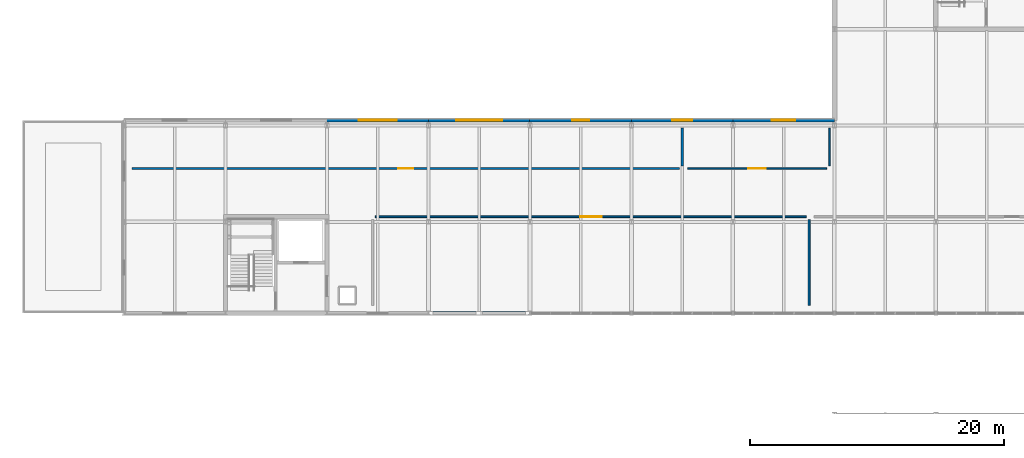
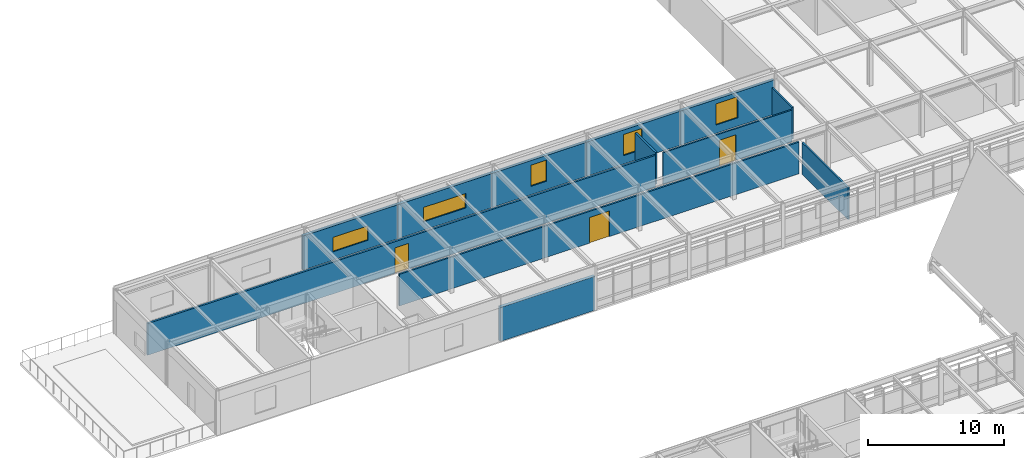
# One storey, part 71 of 85: 12 walls, 5 windows, 3 doors, 8 openings.
"""IFC4 building model written with IfcOpenShell, lengths in metres."""

from ifc_helpers import new_model, si_unit, direction, frame, frame_2d, origin, place, context, subcontext, project, spatial, rectangle, extrude, material, layer, layer_set, type_object, element, fill, save


model = new_model("IFC4")

# Units and contexts
model_context = context("Model", 3, precision=1e-05, world=origin(), true_north=direction((0.0, 1.0)))
body_context = subcontext(model_context, "Body", "Model", "MODEL_VIEW")
ifc_project = project(units=[si_unit("LENGTHUNIT", "METRE"), si_unit("AREAUNIT", "SQUARE_METRE"), si_unit("VOLUMEUNIT", "CUBIC_METRE"), si_unit("PLANEANGLEUNIT", "RADIAN"), si_unit("MASSUNIT", "GRAM", prefix="KILO")], contexts=[model_context])

# Site, building, storey
site_placement = place(None, origin())
site = spatial("IfcSite", under=ifc_project, at=site_placement, CompositionType="ELEMENT")
building_placement = place(site_placement, origin())
building = spatial("IfcBuilding", under=site, at=building_placement, Name="Zulena Civic Courthouse", CompositionType="ELEMENT")
storey_placement = place(building_placement, frame((0.0, 0.0, 25.199951171875)))
storey = spatial("IfcBuildingStorey", under=building, at=storey_placement, Name="L05", CompositionType="ELEMENT", Elevation=25.199951171875)

# Wall, opening, window
ifc_material_1 = material(Name="Buff architectural precast concrete C40/50", Category="concrete")
ifc_layer_1 = layer(ifc_material_1, 0.264892578125)
ifc_layer_set_1 = layer_set([ifc_layer_1], Name="Buff architectural precast concrete C40/50")
wall_type_1 = type_object("IfcWallType", Name="ExtWall_BuffPrecast_265", PredefinedType="STANDARD", material=ifc_layer_set_1)
wall_1_placement = place(storey_placement, frame((27.97998046875, 61.199951171875, 0.0), z_axis=(0.0, 0.0, 1.0), x_axis=(1.0, 0.0, 0.0)))
wall_1 = element("IfcWall", 1, at=wall_1_placement, inside=storey, type_object=wall_type_1, Name="ewall:V5:L05:1:2", PredefinedType="STANDARD", context=body_context, shape_type="SweptSolid", body=[
    extrude(rectangle(XDim=8.0400390625, YDim=0.264892578125, at=frame_2d((4.02001953125, 0.0))), origin(), (0.0, 0.0, 1.0), 3.06005859375),
])
opening_1_placement = place(wall_1_placement, frame((2.52001953125, 0.0, 0.75)))
opening_1 = element("IfcOpeningElement", 2, at=opening_1_placement, cuts=wall_1, Name="Opening WN33", PredefinedType="OPENING", context=body_context, shape_type="SweptSolid", body=[
    extrude(rectangle(XDim=3.0, YDim=1.300048828125, at=frame_2d((1.5, 0.64990234375))), frame((0.0, 0.142333984375, 0.0), z_axis=(0.0, -1.0, 0.0), x_axis=(1.0, 0.0, 0.0)), (0.0, 0.0, 1.0), 0.284912109375),
])
ifc_material_2 = material(Name="Double-silver low-E laminated solar-control glass", Category="glass")
window_type_1 = type_object("IfcWindowType", Name="Win_3000x1300", PartitioningType="DOUBLE_PANEL_VERTICAL", PredefinedType="WINDOW", material=ifc_material_2)
window_1_placement = place(opening_1_placement, origin())
window_1 = element("IfcWindow", 3, at=window_1_placement, inside=storey, type_object=window_type_1, Name="win:V5:L05:1:2", OverallHeight=1.300048828125, OverallWidth=3.0, PartitioningType="SINGLE_PANEL", PredefinedType="WINDOW", context=body_context, shape_type="SweptSolid", body=[
    extrude(rectangle(XDim=3.0, YDim=1.300048828125, at=frame_2d((1.5, 0.64990234375))), frame((0.0, 0.030029296875, 0.0), z_axis=(0.0, -1.0, 0.0), x_axis=(1.0, 0.0, 0.0)), (0.0, 0.0, 1.0), 0.06005859375),
])
fill(opening_1, window_1)

wall_2_placement = place(storey_placement, frame((35.97998046875, 61.199951171875, 0.0), z_axis=(0.0, 0.0, 1.0), x_axis=(1.0, 0.0, 0.0)))
wall_2 = element("IfcWall", 4, at=wall_2_placement, inside=storey, type_object=wall_type_1, Name="ewall:V5:L05:1:3", PredefinedType="STANDARD", context=body_context, shape_type="SweptSolid", body=[
    extrude(rectangle(XDim=8.0400390625, YDim=0.264892578125, at=frame_2d((4.02001953125, 0.0))), origin(), (0.0, 0.0, 1.0), 3.06005859375),
])
opening_2_placement = place(wall_2_placement, frame((2.219970703125, 0.0, 0.75)))
opening_2 = element("IfcOpeningElement", 5, at=opening_2_placement, cuts=wall_2, Name="Opening WN34", PredefinedType="OPENING", context=body_context, shape_type="SweptSolid", body=[
    extrude(rectangle(XDim=3.60009765625, YDim=1.300048828125, at=frame_2d((1.800048828125, 0.64990234375))), frame((0.0, 0.142333984375, 0.0), z_axis=(0.0, -1.0, 0.0), x_axis=(1.0, 0.0, 0.0)), (0.0, 0.0, 1.0), 0.284912109375),
])
window_type_2 = type_object("IfcWindowType", Name="Win_3600x1300", PartitioningType="DOUBLE_PANEL_VERTICAL", PredefinedType="WINDOW", material=ifc_material_2)
window_2_placement = place(opening_2_placement, origin())
window_2 = element("IfcWindow", 6, at=window_2_placement, inside=storey, type_object=window_type_2, Name="win:V5:L05:1:3", OverallHeight=1.300048828125, OverallWidth=3.60009765625, PartitioningType="SINGLE_PANEL", PredefinedType="WINDOW", context=body_context, shape_type="SweptSolid", body=[
    extrude(rectangle(XDim=3.60009765625, YDim=1.300048828125, at=frame_2d((1.800048828125, 0.64990234375))), frame((0.0, 0.030029296875, 0.0), z_axis=(0.0, -1.0, 0.0), x_axis=(1.0, 0.0, 0.0)), (0.0, 0.0, 1.0), 0.06005859375),
])
fill(opening_2, window_2)

wall_3_placement = place(storey_placement, frame((43.97998046875, 61.199951171875, 0.0), z_axis=(0.0, 0.0, 1.0), x_axis=(1.0, 0.0, 0.0)))
wall_3 = element("IfcWall", 7, at=wall_3_placement, inside=storey, type_object=wall_type_1, Name="ewall:V5:L05:1:4", PredefinedType="STANDARD", context=body_context, shape_type="SweptSolid", body=[
    extrude(rectangle(XDim=8.0400390625, YDim=0.264892578125, at=frame_2d((4.02001953125, 0.0))), origin(), (0.0, 0.0, 1.0), 3.06005859375),
])
opening_3_placement = place(wall_3_placement, frame((3.344970703125, 0.0, 0.75)))
opening_3 = element("IfcOpeningElement", 8, at=opening_3_placement, cuts=wall_3, Name="Opening WN35", PredefinedType="OPENING", context=body_context, shape_type="SweptSolid", body=[
    extrude(rectangle(XDim=1.35009765625, YDim=1.89990234375, at=frame_2d((0.675048828125, 0.949951171875))), frame((0.0, 0.142333984375, 0.0), z_axis=(0.0, -1.0, 0.0), x_axis=(1.0, 0.0, 0.0)), (0.0, 0.0, 1.0), 0.284912109375),
])
window_type_3 = type_object("IfcWindowType", Name="Win_1350x1900", PartitioningType="SINGLE_PANEL", PredefinedType="WINDOW", material=ifc_material_2)
window_3_placement = place(opening_3_placement, origin())
window_3 = element("IfcWindow", 9, at=window_3_placement, inside=storey, type_object=window_type_3, Name="win:V5:L05:1:4", OverallHeight=1.89990234375, OverallWidth=1.35009765625, PartitioningType="SINGLE_PANEL", PredefinedType="WINDOW", context=body_context, shape_type="SweptSolid", body=[
    extrude(rectangle(XDim=1.35009765625, YDim=1.89990234375, at=frame_2d((0.675048828125, 0.949951171875))), frame((0.0, 0.030029296875, 0.0), z_axis=(0.0, -1.0, 0.0), x_axis=(1.0, 0.0, 0.0)), (0.0, 0.0, 1.0), 0.06005859375),
])
fill(opening_3, window_3)

wall_4_placement = place(storey_placement, frame((51.97998046875, 61.199951171875, 0.0), z_axis=(0.0, 0.0, 1.0), x_axis=(1.0, 0.0, 0.0)))
wall_4 = element("IfcWall", 10, at=wall_4_placement, inside=storey, type_object=wall_type_1, Name="ewall:V5:L05:1:5", PredefinedType="STANDARD", context=body_context, shape_type="SweptSolid", body=[
    extrude(rectangle(XDim=8.0400390625, YDim=0.264892578125, at=frame_2d((4.02001953125, 0.0))), origin(), (0.0, 0.0, 1.0), 3.06005859375),
])
opening_4_placement = place(wall_4_placement, frame((3.2451171875, 0.0, 0.75)))
opening_4 = element("IfcOpeningElement", 11, at=opening_4_placement, cuts=wall_4, Name="Opening WN36", PredefinedType="OPENING", context=body_context, shape_type="SweptSolid", body=[
    extrude(rectangle(XDim=1.550048828125, YDim=1.89990234375, at=frame_2d((0.77490234375, 0.949951171875))), frame((0.0, 0.142333984375, 0.0), z_axis=(0.0, -1.0, 0.0), x_axis=(1.0, 0.0, 0.0)), (0.0, 0.0, 1.0), 0.284912109375),
])
window_type_4 = type_object("IfcWindowType", Name="Win_1550x1900", PartitioningType="SINGLE_PANEL", PredefinedType="WINDOW", material=ifc_material_2)
window_4_placement = place(opening_4_placement, origin())
window_4 = element("IfcWindow", 12, at=window_4_placement, inside=storey, type_object=window_type_4, Name="win:V5:L05:1:5", OverallHeight=1.89990234375, OverallWidth=1.550048828125, PartitioningType="SINGLE_PANEL", PredefinedType="WINDOW", context=body_context, shape_type="SweptSolid", body=[
    extrude(rectangle(XDim=1.550048828125, YDim=1.89990234375, at=frame_2d((0.77490234375, 0.949951171875))), frame((0.0, 0.030029296875, 0.0), z_axis=(0.0, -1.0, 0.0), x_axis=(1.0, 0.0, 0.0)), (0.0, 0.0, 1.0), 0.06005859375),
])
fill(opening_4, window_4)

wall_5_placement = place(storey_placement, frame((59.97998046875, 61.199951171875, 0.0), z_axis=(0.0, 0.0, 1.0), x_axis=(1.0, 0.0, 0.0)))
wall_5 = element("IfcWall", 13, at=wall_5_placement, inside=storey, type_object=wall_type_1, Name="ewall:V5:L05:1:6", PredefinedType="STANDARD", context=body_context, shape_type="SweptSolid", body=[
    extrude(rectangle(XDim=8.0400390625, YDim=0.264892578125, at=frame_2d((4.02001953125, 0.0))), origin(), (0.0, 0.0, 1.0), 3.06005859375),
])
opening_5_placement = place(wall_5_placement, frame((3.094970703125, 0.0, 0.75)))
opening_5 = element("IfcOpeningElement", 14, at=opening_5_placement, cuts=wall_5, Name="Opening WN37", PredefinedType="OPENING", context=body_context, shape_type="SweptSolid", body=[
    extrude(rectangle(XDim=1.85009765625, YDim=1.89990234375, at=frame_2d((0.925048828125, 0.949951171875))), frame((0.0, 0.142333984375, 0.0), z_axis=(0.0, -1.0, 0.0), x_axis=(1.0, 0.0, 0.0)), (0.0, 0.0, 1.0), 0.284912109375),
])
window_type_5 = type_object("IfcWindowType", Name="Win_1850x1900", PartitioningType="DOUBLE_PANEL_VERTICAL", PredefinedType="WINDOW", material=ifc_material_2)
window_5_placement = place(opening_5_placement, origin())
window_5 = element("IfcWindow", 15, at=window_5_placement, inside=storey, type_object=window_type_5, Name="win:V5:L05:1:6", OverallHeight=1.89990234375, OverallWidth=1.85009765625, PartitioningType="SINGLE_PANEL", PredefinedType="WINDOW", context=body_context, shape_type="SweptSolid", body=[
    extrude(rectangle(XDim=1.85009765625, YDim=1.89990234375, at=frame_2d((0.925048828125, 0.949951171875))), frame((0.0, 0.030029296875, 0.0), z_axis=(0.0, -1.0, 0.0), x_axis=(1.0, 0.0, 0.0)), (0.0, 0.0, 1.0), 0.06005859375),
])
fill(opening_5, window_5)

# Wall
wall_6_placement = place(storey_placement, frame((44.02001953125, 46.0, 0.0), z_axis=(0.0, 0.0, 1.0), x_axis=(-1.0, 0.0, 0.0)))
element("IfcWall", 16, at=wall_6_placement, inside=storey, type_object=wall_type_1, Name="ewall:V5:L05:5:7", PredefinedType="STANDARD", context=body_context, shape_type="SweptSolid", body=[
    extrude(rectangle(XDim=8.0400390625, YDim=0.264892578125, at=frame_2d((4.02001953125, 0.0))), origin(), (0.0, 0.0, 1.0), 3.06005859375),
])

# Wall, opening, door
ifc_material_3 = material(Name="Acoustic fire-rated gypsum board assembly", Category="masonry")
ifc_layer_2 = layer(ifc_material_3, 0.14599609375)
ifc_layer_set_2 = layer_set([ifc_layer_2], Name="Acoustic fire-rated gypsum board assembly")
wall_type_2 = type_object("IfcWallType", Name="PartWall_Chambers_146", PredefinedType="PARTITIONING", material=ifc_layer_set_2)
wall_7_placement = place(storey_placement, frame((31.820068359375, 53.60009765625, 0.0), z_axis=(0.0, 0.0, 1.0), x_axis=(1.0, 0.0, 0.0)))
wall_7 = element("IfcWall", 17, at=wall_7_placement, inside=storey, type_object=wall_type_2, Name="pwall:L05:413:0", PredefinedType="PARTITIONING", context=body_context, shape_type="SweptSolid", body=[
    extrude(rectangle(XDim=33.9599609375, YDim=0.14599609375, at=frame_2d((16.97998046875, 0.0))), origin(), (0.0, 0.0, 1.0), 2.85009765625),
])
opening_6_placement = place(wall_7_placement, frame((16.1298828125, 0.0, 0.0)))
opening_6 = element("IfcOpeningElement", 18, at=opening_6_placement, cuts=wall_7, Name="Opening ID25", PredefinedType="OPENING", context=body_context, shape_type="SweptSolid", body=[
    extrude(rectangle(XDim=1.699951171875, YDim=2.300048828125, at=frame_2d((0.85009765625, 1.14990234375))), frame((0.0, 0.0830078125, 0.0), z_axis=(0.0, -1.0, 0.0), x_axis=(1.0, 0.0, 0.0)), (0.0, 0.0, 1.0), 0.166015625),
])
ifc_material_4 = material(Name="Fire-rated galvanised steel ASTM A653 Grade 50", Category="steel")
door_type_1 = type_object("IfcDoorType", Name="IntDoor_PlantDouble_1700x2300", OperationType="DOUBLE_DOOR_SINGLE_SWING", PredefinedType="DOOR", material=ifc_material_4)
door_1_placement = place(opening_6_placement, origin())
door_1 = element("IfcDoor", 19, at=door_1_placement, inside=storey, type_object=door_type_1, Name="door:rm:L05:413", OperationType="DOUBLE_DOOR_SINGLE_SWING", OverallHeight=2.300048828125, OverallWidth=1.699951171875, PredefinedType="DOOR", context=body_context, shape_type="SweptSolid", body=[
    extrude(rectangle(XDim=1.699951171875, YDim=2.300048828125, at=frame_2d((0.85009765625, 1.14990234375))), frame((0.0, 0.02490234375, 0.0), z_axis=(0.0, -1.0, 0.0), x_axis=(1.0, 0.0, 0.0)), (0.0, 0.0, 1.0), 0.050048828125),
])
fill(opening_6, door_1)

# Wall
wall_8_placement = place(storey_placement, frame((66.0, 46.6201171875, 0.0), z_axis=(0.0, 0.0, 1.0), x_axis=(0.0, 1.0, 0.0)))
element("IfcWall", 20, at=wall_8_placement, inside=storey, type_object=wall_type_2, Name="pwall:L05:413:2", PredefinedType="PARTITIONING", context=body_context, shape_type="SweptSolid", body=[
    extrude(rectangle(XDim=6.759765625, YDim=0.14599609375, at=frame_2d((3.3798828125, 0.0))), origin(), (0.0, 0.0, 1.0), 2.85009765625),
])

# Wall, opening, door
ifc_layer_3 = layer(ifc_material_3, 0.162109375)
ifc_layer_set_3 = layer_set([ifc_layer_3], Name="Acoustic fire-rated gypsum board assembly")
wall_type_3 = type_object("IfcWallType", Name="PartWall_Jury_162", PredefinedType="PARTITIONING", material=ifc_layer_set_3)
wall_9_placement = place(storey_placement, frame((12.6201171875, 57.39990234375, 0.0), z_axis=(0.0, 0.0, 1.0), x_axis=(1.0, 0.0, 0.0)))
wall_9 = element("IfcWall", 21, at=wall_9_placement, inside=storey, type_object=wall_type_3, Name="pwall:L05:415:0", PredefinedType="PARTITIONING", context=body_context, shape_type="SweptSolid", body=[
    extrude(rectangle(XDim=43.159912109375, YDim=0.162109375, at=frame_2d((21.580078125, 0.0))), origin(), (0.0, 0.0, 1.0), 2.85009765625),
])
opening_7_placement = place(wall_9_placement, frame((20.989990234375, 0.0, 0.0)))
opening_7 = element("IfcOpeningElement", 22, at=opening_7_placement, cuts=wall_9, Name="Opening ID27", PredefinedType="OPENING", context=body_context, shape_type="SweptSolid", body=[
    extrude(rectangle(XDim=1.179931640625, YDim=2.300048828125, at=frame_2d((0.58984375, 1.14990234375))), frame((0.0, 0.091064453125, 0.0), z_axis=(0.0, -1.0, 0.0), x_axis=(1.0, 0.0, 0.0)), (0.0, 0.0, 1.0), 0.18212890625),
])
door_type_2 = type_object("IfcDoorType", Name="IntDoor_FCC_1180x2300", OperationType="NOTDEFINED", PredefinedType="DOOR", material=ifc_material_4)
door_2_placement = place(opening_7_placement, origin())
door_2 = element("IfcDoor", 23, at=door_2_placement, inside=storey, type_object=door_type_2, Name="door:rm:L05:415", OperationType="SINGLE_SWING_LEFT", OverallHeight=2.300048828125, OverallWidth=1.179931640625, PredefinedType="DOOR", context=body_context, shape_type="SweptSolid", body=[
    extrude(rectangle(XDim=1.179931640625, YDim=2.300048828125, at=frame_2d((0.58984375, 1.14990234375))), frame((0.0, 0.02490234375, 0.0), z_axis=(0.0, -1.0, 0.0), x_axis=(1.0, 0.0, 0.0)), (0.0, 0.0, 1.0), 0.050048828125),
])
fill(opening_7, door_2)

# Wall
wall_10_placement = place(storey_placement, frame((56.0, 57.6201171875, 0.0), z_axis=(0.0, 0.0, 1.0), x_axis=(0.0, 1.0, 0.0)))
element("IfcWall", 24, at=wall_10_placement, inside=storey, type_object=wall_type_3, Name="pwall:L05:415:1", PredefinedType="PARTITIONING", context=body_context, shape_type="SweptSolid", body=[
    extrude(rectangle(XDim=2.9599609375, YDim=0.162109375, at=frame_2d((1.47998046875, 0.0))), origin(), (0.0, 0.0, 1.0), 2.85009765625),
])

# Wall, opening, door
ifc_material_5 = material(Name="Insulated blockwork masonry ASTM C90", Category="masonry")
ifc_layer_4 = layer(ifc_material_5, 0.1279296875)
ifc_layer_set_4 = layer_set([ifc_layer_4], Name="Insulated blockwork masonry ASTM C90")
wall_type_4 = type_object("IfcWallType", Name="PartWall_WetRoom_128", PredefinedType="PARTITIONING", material=ifc_layer_set_4)
wall_11_placement = place(storey_placement, frame((56.419921875, 57.39990234375, 0.0), z_axis=(0.0, 0.0, 1.0), x_axis=(1.0, 0.0, 0.0)))
wall_11 = element("IfcWall", 25, at=wall_11_placement, inside=storey, type_object=wall_type_4, Name="pwall:L05:416:0", PredefinedType="PARTITIONING", context=body_context, shape_type="SweptSolid", body=[
    extrude(rectangle(XDim=10.9599609375, YDim=0.1279296875, at=frame_2d((5.47998046875, 0.0))), origin(), (0.0, 0.0, 1.0), 2.85009765625),
])
opening_8_placement = place(wall_11_placement, frame((4.780029296875, 0.0, 0.0)))
opening_8 = element("IfcOpeningElement", 26, at=opening_8_placement, cuts=wall_11, Name="Opening ID28", PredefinedType="OPENING", context=body_context, shape_type="SweptSolid", body=[
    extrude(rectangle(XDim=1.39990234375, YDim=2.300048828125, at=frame_2d((0.699951171875, 1.14990234375))), frame((0.0, 0.073974609375, 0.0), z_axis=(0.0, -1.0, 0.0), x_axis=(1.0, 0.0, 0.0)), (0.0, 0.0, 1.0), 0.14794921875),
])
ifc_material_6 = material(Name="Solid-core acoustic hardwood timber", Category="wood")
door_type_3 = type_object("IfcDoorType", Name="IntDoor_Cafe_1400x2300", OperationType="DOUBLE_DOOR_SINGLE_SWING", PredefinedType="DOOR", material=ifc_material_6)
door_3_placement = place(opening_8_placement, origin())
door_3 = element("IfcDoor", 27, at=door_3_placement, inside=storey, type_object=door_type_3, Name="door:rm:L05:416", OperationType="DOUBLE_DOOR_SINGLE_SWING", OverallHeight=2.300048828125, OverallWidth=1.39990234375, PredefinedType="DOOR", context=body_context, shape_type="SweptSolid", body=[
    extrude(rectangle(XDim=1.39990234375, YDim=2.300048828125, at=frame_2d((0.699951171875, 1.14990234375))), frame((0.0, 0.02490234375, 0.0), z_axis=(0.0, -1.0, 0.0), x_axis=(1.0, 0.0, 0.0)), (0.0, 0.0, 1.0), 0.050048828125),
])
fill(opening_8, door_3)

# Wall
wall_12_placement = place(storey_placement, frame((67.60009765625, 57.6201171875, 0.0), z_axis=(0.0, 0.0, 1.0), x_axis=(0.0, 1.0, 0.0)))
element("IfcWall", 28, at=wall_12_placement, inside=storey, type_object=wall_type_4, Name="pwall:L05:416:1", PredefinedType="PARTITIONING", context=body_context, shape_type="SweptSolid", body=[
    extrude(rectangle(XDim=2.9599609375, YDim=0.1279296875, at=frame_2d((1.47998046875, 0.0))), origin(), (0.0, 0.0, 1.0), 2.85009765625),
])

save(model, "model.ifc")
